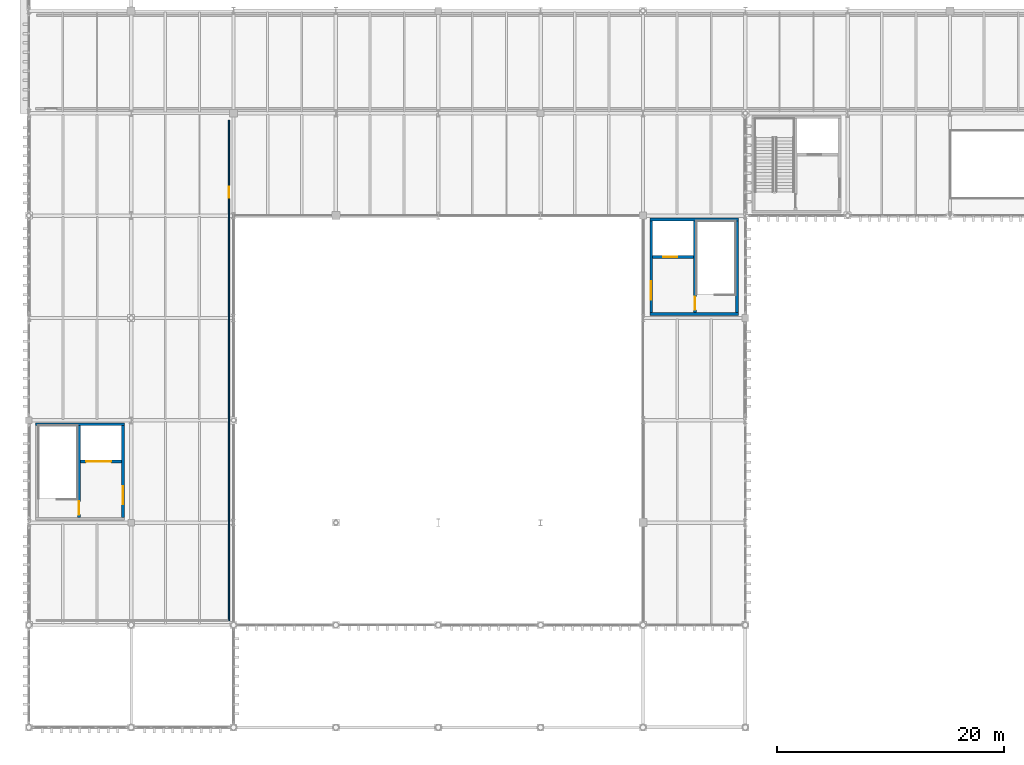
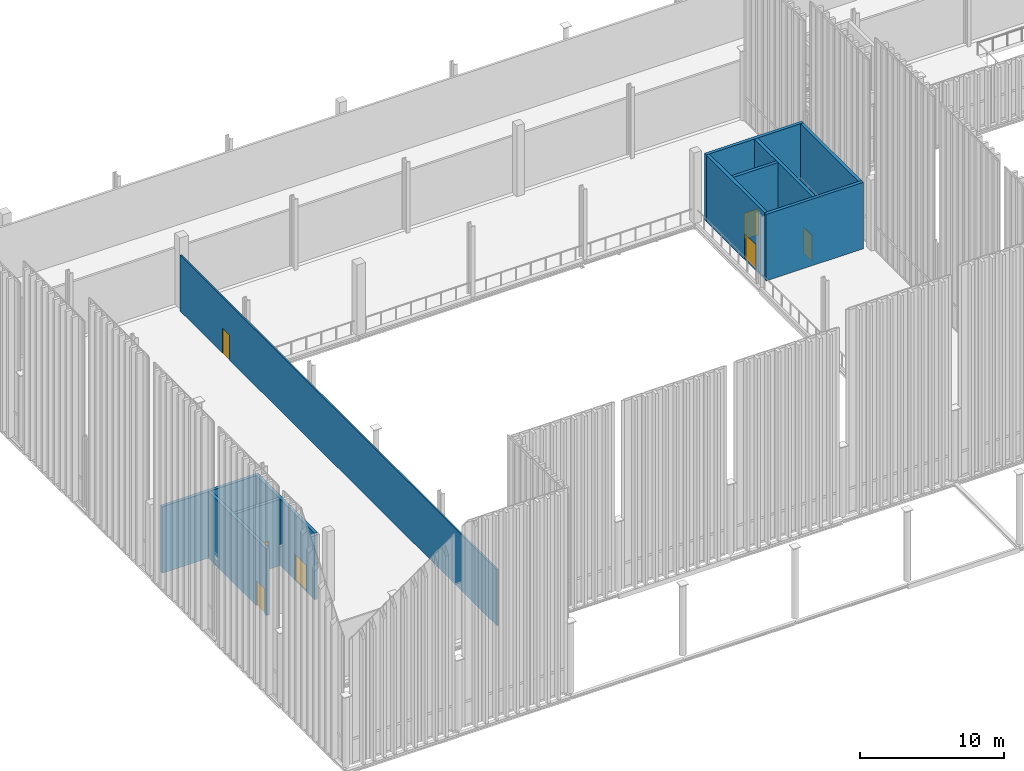
# One storey, part 205 of 237: 11 walls, 7 doors, 7 openings.
"""IFC4 building model written with IfcOpenShell, lengths in metres."""

from ifc_helpers import new_model, si_unit, direction, frame, frame_2d, origin, place, context, subcontext, project, spatial, rectangle, extrude, material, layer, layer_set, type_object, element, fill, save


model = new_model("IFC4")

# Units and contexts
model_context = context("Model", 3, precision=1e-05, world=origin(), true_north=direction((0.0, 1.0)))
body_context = subcontext(model_context, "Body", "Model", "MODEL_VIEW")
ifc_project = project(units=[si_unit("LENGTHUNIT", "METRE"), si_unit("AREAUNIT", "SQUARE_METRE"), si_unit("VOLUMEUNIT", "CUBIC_METRE"), si_unit("PLANEANGLEUNIT", "RADIAN"), si_unit("MASSUNIT", "GRAM", prefix="KILO")], contexts=[model_context])

# Site, building, storey
site_placement = place(None, origin())
site = spatial("IfcSite", under=ifc_project, at=site_placement, CompositionType="ELEMENT")
building_placement = place(site_placement, origin())
building = spatial("IfcBuilding", under=site, at=building_placement, Name="Barlavento Convention Centre", CompositionType="ELEMENT")
storey_placement = place(building_placement, frame((0.0, 0.0, 12.0)))
storey = spatial("IfcBuildingStorey", under=building, at=storey_placement, Name="L02", CompositionType="ELEMENT", Elevation=12.0)

# Wall, opening, door
ifc_material_1 = material(Name="Lightweight gypsum partition")
ifc_layer_1 = layer(ifc_material_1, 0.125)
ifc_layer_set_1 = layer_set([ifc_layer_1], Name="ARC-WL-PART-125")
wall_type_1 = type_object("IfcWallType", Name="ARC-WL-PART-125", PredefinedType="PARTITIONING", material=ifc_layer_set_1)
wall_1_placement = place(storey_placement, frame((17.60009765625, 9.39990234375, 0.0), z_axis=(0.0, 0.0, 1.0), x_axis=(0.0, 1.0, 0.0)))
wall_1 = element("IfcWall", 1, at=wall_1_placement, inside=storey, type_object=wall_type_1, Name="L02 interior wall PT-05", PredefinedType="PARTITIONING", context=body_context, shape_type="SweptSolid", body=[
    extrude(rectangle(XDim=44.0, YDim=0.125, at=frame_2d((22.0, 0.0))), origin(), (0.0, 0.0, 1.0), 4.75),
])
opening_1_placement = place(wall_1_placement, frame((37.14990234375, 0.0, 0.0)))
opening_1 = element("IfcOpeningElement", 2, at=opening_1_placement, cuts=wall_1, Name="Opening ID-08", PredefinedType="OPENING", context=body_context, shape_type="SweptSolid", body=[
    extrude(rectangle(XDim=0.97998046875, YDim=2.1201171875, at=frame_2d((0.489990234375, 1.06005859375))), frame((0.0, 0.072509765625, 0.0), z_axis=(0.0, -1.0, 0.0), x_axis=(1.0, 0.0, 0.0)), (0.0, 0.0, 1.0), 0.14501953125),
])
ifc_material_2 = material(Name="Timber veneer acoustic core", Category="wood")
door_type_1 = type_object("IfcDoorType", Name="ARC-DR-ROOM-980X2120", OperationType="NOTDEFINED", PredefinedType="DOOR", material=ifc_material_2)
door_1_placement = place(opening_1_placement, origin())
door_1 = element("IfcDoor", 3, at=door_1_placement, inside=storey, type_object=door_type_1, Name="DR-INT-L02-0232 L02 interior door ID-08", OperationType="SINGLE_SWING_LEFT", OverallHeight=2.1201171875, OverallWidth=0.97998046875, PredefinedType="DOOR", context=body_context, shape_type="SweptSolid", body=[
    extrude(rectangle(XDim=0.97998046875, YDim=2.1201171875, at=frame_2d((0.489990234375, 1.06005859375))), frame((0.0, 0.02490234375, 0.0), z_axis=(0.0, -1.0, 0.0), x_axis=(1.0, 0.0, 0.0)), (0.0, 0.0, 1.0), 0.050048828125),
])
fill(opening_1, door_1)

ifc_material_3 = material(Name="Concrete C50/60", Category="concrete")
ifc_layer_2 = layer(ifc_material_3, 0.25)
ifc_layer_set_2 = layer_set([ifc_layer_2], Name="STR-WL-CORE-250")
wall_type_2 = type_object("IfcWallType", Name="STR-WL-CORE-250", PredefinedType="SHEAR", material=ifc_layer_set_2)
wall_2_placement = place(storey_placement, frame((8.27490234375, 18.469970703125, 0.0), z_axis=(0.0, 0.0, 1.0), x_axis=(0.0, 1.0, 0.0)))
wall_2 = element("IfcWall", 4, at=wall_2_placement, inside=storey, type_object=wall_type_2, Name="L02 interior wall CW-02", PredefinedType="SHEAR", context=body_context, shape_type="SweptSolid", body=[
    extrude(rectangle(XDim=8.06005859375, YDim=0.25, at=frame_2d((4.030029296875, 0.0))), origin(), (0.0, 0.0, 1.0), 5.639892578125),
])
opening_2_placement = place(wall_2_placement, frame((1.14990234375, 0.0, 0.0)))
opening_2 = element("IfcOpeningElement", 5, at=opening_2_placement, cuts=wall_2, Name="Opening FD-02", PredefinedType="OPENING", context=body_context, shape_type="SweptSolid", body=[
    extrude(rectangle(XDim=1.60009765625, YDim=2.199951171875, at=frame_2d((0.800048828125, 1.10009765625))), frame((0.0, 0.135009765625, 0.0), z_axis=(0.0, -1.0, 0.0), x_axis=(1.0, 0.0, 0.0)), (0.0, 0.0, 1.0), 0.27001953125),
])
ifc_material_4 = material(Name="Painted galvanized steel", Category="steel")
door_type_2 = type_object("IfcDoorType", Name="ARC-DR-FIRE-1600X2200", OperationType="DOUBLE_DOOR_SINGLE_SWING", PredefinedType="DOOR", material=ifc_material_4)
door_2_placement = place(opening_2_placement, origin())
door_2 = element("IfcDoor", 6, at=door_2_placement, inside=storey, type_object=door_type_2, Name="DR-INT-L02-0012 L02 LF1 lobby fire door", OperationType="DOUBLE_DOOR_SINGLE_SWING", OverallHeight=2.199951171875, OverallWidth=1.60009765625, PredefinedType="DOOR", context=body_context, shape_type="SweptSolid", body=[
    extrude(rectangle(XDim=1.60009765625, YDim=2.199951171875, at=frame_2d((0.800048828125, 1.10009765625))), frame((0.0, 0.02490234375, 0.0), z_axis=(0.0, -1.0, 0.0), x_axis=(1.0, 0.0, 0.0)), (0.0, 0.0, 1.0), 0.050048828125),
])
fill(opening_2, door_2)

# Wall
wall_3_placement = place(storey_placement, frame((0.60009765625, 26.655029296875, 0.0), z_axis=(0.0, 0.0, 1.0), x_axis=(1.0, 0.0, 0.0)))
element("IfcWall", 7, at=wall_3_placement, inside=storey, type_object=wall_type_2, Name="L02 interior wall CW-02", PredefinedType="SHEAR", context=body_context, shape_type="SweptSolid", body=[
    extrude(rectangle(XDim=7.7998046875, YDim=0.25, at=frame_2d((3.89990234375, 0.0))), origin(), (0.0, 0.0, 1.0), 5.639892578125),
])

# Wall, opening, door
wall_4_placement = place(storey_placement, frame((4.4150390625, 18.469970703125, 0.0), z_axis=(0.0, 0.0, 1.0), x_axis=(0.0, 1.0, 0.0)))
wall_4 = element("IfcWall", 8, at=wall_4_placement, inside=storey, type_object=wall_type_2, Name="L02 interior wall CW-02", PredefinedType="SHEAR", context=body_context, shape_type="SweptSolid", body=[
    extrude(rectangle(XDim=8.06005859375, YDim=0.25, at=frame_2d((4.030029296875, 0.0))), origin(), (0.0, 0.0, 1.0), 5.639892578125),
])
opening_3_placement = place(wall_4_placement, frame((0.25, 0.0, 0.0)))
opening_3 = element("IfcOpeningElement", 9, at=opening_3_placement, cuts=wall_4, Name="Opening FD-03", PredefinedType="OPENING", context=body_context, shape_type="SweptSolid", body=[
    extrude(rectangle(XDim=1.14990234375, YDim=2.14990234375, at=frame_2d((0.574951171875, 1.074951171875))), frame((0.0, 0.135009765625, 0.0), z_axis=(0.0, -1.0, 0.0), x_axis=(1.0, 0.0, 0.0)), (0.0, 0.0, 1.0), 0.27001953125),
])
door_type_3 = type_object("IfcDoorType", Name="ARC-DR-FIRE-1150X2150", OperationType="NOTDEFINED", PredefinedType="DOOR", material=ifc_material_4)
door_3_placement = place(opening_3_placement, origin())
door_3 = element("IfcDoor", 10, at=door_3_placement, inside=storey, type_object=door_type_3, Name="DR-INT-L02-0010 L02 ST01 stair fire door FD-03", OperationType="SINGLE_SWING_RIGHT", OverallHeight=2.14990234375, OverallWidth=1.14990234375, PredefinedType="DOOR", context=body_context, shape_type="SweptSolid", body=[
    extrude(rectangle(XDim=1.14990234375, YDim=2.14990234375, at=frame_2d((0.574951171875, 1.074951171875))), frame((0.0, 0.02490234375, 0.0), z_axis=(0.0, -1.0, 0.0), x_axis=(1.0, 0.0, 0.0)), (0.0, 0.0, 1.0), 0.050048828125),
])
fill(opening_3, door_3)

wall_5_placement = place(storey_placement, frame((4.5400390625, 23.3701171875, 0.0), z_axis=(0.0, 0.0, 1.0), x_axis=(1.0, 0.0, 0.0)))
wall_5 = element("IfcWall", 11, at=wall_5_placement, inside=storey, type_object=wall_type_2, Name="L02 interior wall CW-02", PredefinedType="SHEAR", context=body_context, shape_type="SweptSolid", body=[
    extrude(rectangle(XDim=3.60986328125, YDim=0.25, at=frame_2d((1.804931640625, 0.0))), origin(), (0.0, 0.0, 1.0), 5.639892578125),
])
opening_4_placement = place(wall_5_placement, frame((0.5, 0.0, 0.0)))
opening_4 = element("IfcOpeningElement", 12, at=opening_4_placement, cuts=wall_5, Name="Opening LD-03", PredefinedType="OPENING", context=body_context, shape_type="SweptSolid", body=[
    extrude(rectangle(XDim=2.199951171875, YDim=2.39990234375, at=frame_2d((1.10009765625, 1.199951171875))), frame((0.0, 0.135009765625, 0.0), z_axis=(0.0, -1.0, 0.0), x_axis=(1.0, 0.0, 0.0)), (0.0, 0.0, 1.0), 0.27001953125),
])
ifc_material_5 = material(Name="Brushed stainless steel", Category="steel")
door_type_4 = type_object("IfcDoorType", Name="ARC-DR-LIFT-2200X2400", OperationType="DOUBLE_DOOR_SLIDING", PredefinedType="DOOR", material=ifc_material_5)
door_4_placement = place(opening_4_placement, origin())
door_4 = element("IfcDoor", 13, at=door_4_placement, inside=storey, type_object=door_type_4, Name="DR-INT-L02-0011 LF1 lift sliding landing door", OperationType="DOUBLE_DOOR_SLIDING", OverallHeight=2.39990234375, OverallWidth=2.199951171875, PredefinedType="DOOR", context=body_context, shape_type="SweptSolid", body=[
    extrude(rectangle(XDim=2.199951171875, YDim=2.39990234375, at=frame_2d((1.10009765625, 1.199951171875))), frame((0.0, 0.02490234375, 0.0), z_axis=(0.0, -1.0, 0.0), x_axis=(1.0, 0.0, 0.0)), (0.0, 0.0, 1.0), 0.050048828125),
])
fill(opening_4, door_4)

wall_6_placement = place(storey_placement, frame((54.72509765625, 36.469970703125, 0.0), z_axis=(0.0, 0.0, 1.0), x_axis=(0.0, 1.0, 0.0)))
wall_6 = element("IfcWall", 14, at=wall_6_placement, inside=storey, type_object=wall_type_2, Name="L02 interior wall CW-02", PredefinedType="SHEAR", context=body_context, shape_type="SweptSolid", body=[
    extrude(rectangle(XDim=8.06005859375, YDim=0.25, at=frame_2d((4.030029296875, 0.0))), origin(), (0.0, 0.0, 1.0), 5.639892578125),
])
opening_5_placement = place(wall_6_placement, frame((1.14990234375, 0.0, 0.0)))
opening_5 = element("IfcOpeningElement", 15, at=opening_5_placement, cuts=wall_6, Name="Opening FD-02", PredefinedType="OPENING", context=body_context, shape_type="SweptSolid", body=[
    extrude(rectangle(XDim=1.60009765625, YDim=2.199951171875, at=frame_2d((0.800048828125, 1.10009765625))), frame((0.0, 0.135009765625, 0.0), z_axis=(0.0, -1.0, 0.0), x_axis=(1.0, 0.0, 0.0)), (0.0, 0.0, 1.0), 0.27001953125),
])
door_5_placement = place(opening_5_placement, origin())
door_5 = element("IfcDoor", 16, at=door_5_placement, inside=storey, type_object=door_type_2, Name="DR-INT-L02-0024 L02 LP1 lobby fire door", OperationType="DOUBLE_DOOR_SINGLE_SWING", OverallHeight=2.199951171875, OverallWidth=1.60009765625, PredefinedType="DOOR", context=body_context, shape_type="SweptSolid", body=[
    extrude(rectangle(XDim=1.60009765625, YDim=2.199951171875, at=frame_2d((0.800048828125, 1.10009765625))), frame((0.0, 0.02490234375, 0.0), z_axis=(0.0, -1.0, 0.0), x_axis=(1.0, 0.0, 0.0)), (0.0, 0.0, 1.0), 0.050048828125),
])
fill(opening_5, door_5)

# Walls
wall_7_placement = place(storey_placement, frame((62.27490234375, 36.469970703125, 0.0), z_axis=(0.0, 0.0, 1.0), x_axis=(0.0, 1.0, 0.0)))
element("IfcWall", 17, at=wall_7_placement, inside=storey, type_object=wall_type_2, Name="L02 interior wall CW-02", PredefinedType="SHEAR", context=body_context, shape_type="SweptSolid", body=[
    extrude(rectangle(XDim=8.06005859375, YDim=0.25, at=frame_2d((4.030029296875, 0.0))), origin(), (0.0, 0.0, 1.0), 5.639892578125),
])
for number, where, z_axis, x_axis, name in (
    (18, (54.60009765625, 36.344970703125, 0.0), (0.0, 0.0, 1.0), (1.0, 0.0, 0.0), "L02 interior wall CW-02"),
    (19, (54.60009765625, 44.655029296875, 0.0), (0.0, 0.0, 1.0), (1.0, 0.0, 0.0), "L02 interior wall CW-02"),
):
    element("IfcWall", number, at=place(storey_placement, frame(where, z_axis=z_axis, x_axis=x_axis)), inside=storey, type_object=wall_type_2, Name=name, PredefinedType="SHEAR", context=body_context, shape_type="SweptSolid", body=[
        extrude(rectangle(XDim=7.7998046875, YDim=0.25, at=frame_2d((3.89990234375, 0.0))), origin(), (0.0, 0.0, 1.0), 5.639892578125),
    ])

# Wall, opening, door
wall_8_placement = place(storey_placement, frame((58.5849609375, 36.469970703125, 0.0), z_axis=(0.0, 0.0, 1.0), x_axis=(0.0, 1.0, 0.0)))
wall_8 = element("IfcWall", 20, at=wall_8_placement, inside=storey, type_object=wall_type_2, Name="L02 interior wall CW-02", PredefinedType="SHEAR", context=body_context, shape_type="SweptSolid", body=[
    extrude(rectangle(XDim=8.06005859375, YDim=0.25, at=frame_2d((4.030029296875, 0.0))), origin(), (0.0, 0.0, 1.0), 5.639892578125),
])
opening_6_placement = place(wall_8_placement, frame((0.25, 0.0, 0.0)))
opening_6 = element("IfcOpeningElement", 21, at=opening_6_placement, cuts=wall_8, Name="Opening FD-03", PredefinedType="OPENING", context=body_context, shape_type="SweptSolid", body=[
    extrude(rectangle(XDim=1.14990234375, YDim=2.14990234375, at=frame_2d((0.574951171875, 1.074951171875))), frame((0.0, 0.135009765625, 0.0), z_axis=(0.0, -1.0, 0.0), x_axis=(1.0, 0.0, 0.0)), (0.0, 0.0, 1.0), 0.27001953125),
])
door_6_placement = place(opening_6_placement, origin())
door_6 = element("IfcDoor", 22, at=door_6_placement, inside=storey, type_object=door_type_3, Name="DR-INT-L02-0022 L02 ST02 stair fire door FD-03", OperationType="SINGLE_SWING_RIGHT", OverallHeight=2.14990234375, OverallWidth=1.14990234375, PredefinedType="DOOR", context=body_context, shape_type="SweptSolid", body=[
    extrude(rectangle(XDim=1.14990234375, YDim=2.14990234375, at=frame_2d((0.574951171875, 1.074951171875))), frame((0.0, 0.02490234375, 0.0), z_axis=(0.0, -1.0, 0.0), x_axis=(1.0, 0.0, 0.0)), (0.0, 0.0, 1.0), 0.050048828125),
])
fill(opening_6, door_6)

wall_9_placement = place(storey_placement, frame((54.85009765625, 41.3701171875, 0.0), z_axis=(0.0, 0.0, 1.0), x_axis=(1.0, 0.0, 0.0)))
wall_9 = element("IfcWall", 23, at=wall_9_placement, inside=storey, type_object=wall_type_2, Name="L02 interior wall CW-02", PredefinedType="SHEAR", context=body_context, shape_type="SweptSolid", body=[
    extrude(rectangle(XDim=3.60986328125, YDim=0.25, at=frame_2d((1.804931640625, 0.0))), origin(), (0.0, 0.0, 1.0), 5.639892578125),
])
opening_7_placement = place(wall_9_placement, frame((0.949951171875, 0.0, 0.0)))
opening_7 = element("IfcOpeningElement", 24, at=opening_7_placement, cuts=wall_9, Name="Opening LD-01", PredefinedType="OPENING", context=body_context, shape_type="SweptSolid", body=[
    extrude(rectangle(XDim=1.199951171875, YDim=2.199951171875, at=frame_2d((0.60009765625, 1.10009765625))), frame((0.0, 0.135009765625, 0.0), z_axis=(0.0, -1.0, 0.0), x_axis=(1.0, 0.0, 0.0)), (0.0, 0.0, 1.0), 0.27001953125),
])
door_type_5 = type_object("IfcDoorType", Name="ARC-DR-LIFT-1200X2200", OperationType="DOUBLE_DOOR_SLIDING", PredefinedType="DOOR", material=ifc_material_5)
door_7_placement = place(opening_7_placement, origin())
door_7 = element("IfcDoor", 25, at=door_7_placement, inside=storey, type_object=door_type_5, Name="DR-INT-L02-0023 LP1 lift sliding landing door", OperationType="DOUBLE_DOOR_SLIDING", OverallHeight=2.199951171875, OverallWidth=1.199951171875, PredefinedType="DOOR", context=body_context, shape_type="SweptSolid", body=[
    extrude(rectangle(XDim=1.199951171875, YDim=2.199951171875, at=frame_2d((0.60009765625, 1.10009765625))), frame((0.0, 0.02490234375, 0.0), z_axis=(0.0, -1.0, 0.0), x_axis=(1.0, 0.0, 0.0)), (0.0, 0.0, 1.0), 0.050048828125),
])
fill(opening_7, door_7)

save(model, "model.ifc")
